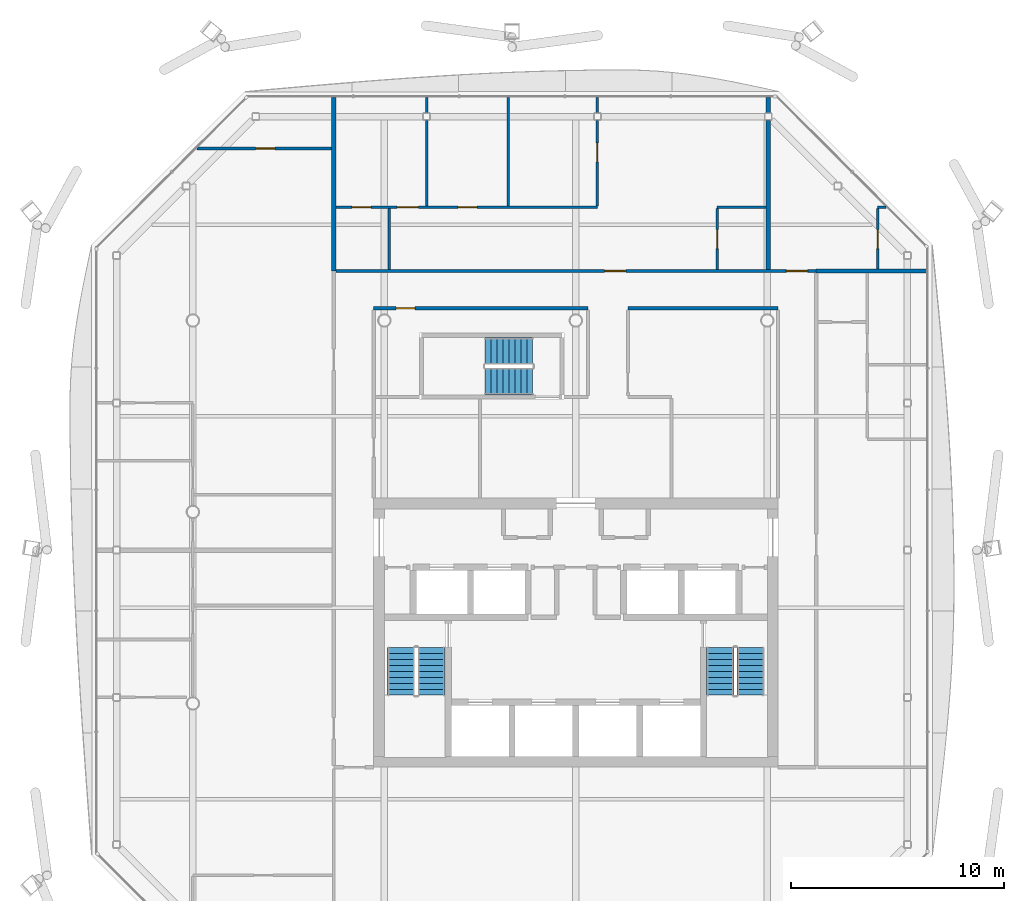
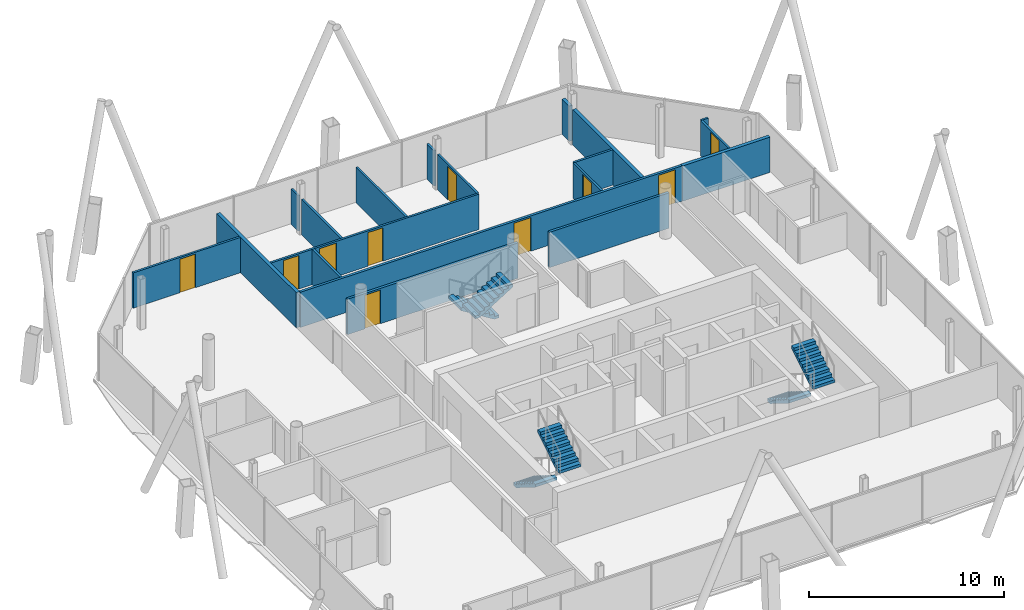
# One storey, part 16 of 20: 19 walls, 10 doors, 6 stair flights, 10 openings, 3 elements without a shape of their own.
"""IFC4 building model written with IfcOpenShell, lengths in metres."""

from ifc_helpers import new_model, si_unit, direction, frame, frame_2d, origin, place, context, subcontext, project, spatial, polyline, rectangle, outline, extrude, material, layer, layer_set, type_object, element, fill, aggregate, save


model = new_model("IFC4")

# Units and contexts
model_context = context("Model", 3, precision=1e-05, world=origin(), true_north=direction((0.0, 1.0)))
body_context = subcontext(model_context, "Body", "Model", "MODEL_VIEW")
ifc_project = project(units=[si_unit("LENGTHUNIT", "METRE"), si_unit("AREAUNIT", "SQUARE_METRE"), si_unit("VOLUMEUNIT", "CUBIC_METRE"), si_unit("PLANEANGLEUNIT", "RADIAN"), si_unit("MASSUNIT", "GRAM", prefix="KILO")], contexts=[model_context])

# Site, building, storey
site_placement = place(None, origin())
site = spatial("IfcSite", under=ifc_project, at=site_placement, CompositionType="ELEMENT")
building_placement = place(site_placement, origin())
building = spatial("IfcBuilding", under=site, at=building_placement, Name="Tskaro Facet Tower", CompositionType="ELEMENT")
storey_placement = place(building_placement, frame((0.0, 0.0, 200.550048828125)))
storey = spatial("IfcBuildingStorey", under=building, at=storey_placement, Name="L51", CompositionType="ELEMENT", Elevation=200.550048828125)

# Wall, openings, doors
ifc_material_1 = material(Name="Gypsum board on steel studs", Category="steel")
ifc_layer_1 = layer(ifc_material_1, 0.125, Name="Gypsum board on steel studs")
ifc_layer_set_1 = layer_set([ifc_layer_1], Name="Gypsum board on steel studs")
wall_type_1 = type_object("IfcWallType", Name="PART", PredefinedType="PARTITIONING", material=ifc_layer_set_1)
wall_1_placement = place(storey_placement, frame((-11.27490234375, 14.324951171875, 0.0), z_axis=(0.0, 0.0, 1.0), x_axis=(1.0, 0.0, 0.0)))
wall_1 = element("IfcWall", 1, at=wall_1_placement, inside=storey, type_object=wall_type_1, Name="Partition W039", PredefinedType="PARTITIONING", context=body_context, shape_type="SweptSolid", body=[
    extrude(rectangle(XDim=12.289794921875, YDim=0.125, at=frame_2d((6.14501953125, 0.0))), origin(), (0.0, 0.0, 1.0), 2.2099609375),
])
opening_1_placement = place(wall_1_placement, frame((5.72998046875, 0.0, 0.0)))
opening_1 = element("IfcOpeningElement", 2, at=opening_1_placement, cuts=wall_1, Name="Opening T15-D33", PredefinedType="OPENING", context=body_context, shape_type="SweptSolid", body=[
    extrude(rectangle(XDim=0.89990234375, YDim=2.10009765625, at=frame_2d((0.449951171875, 1.050048828125))), frame((0.0, 0.072509765625, 0.0), z_axis=(0.0, -1.0, 0.0), x_axis=(1.0, 0.0, 0.0)), (0.0, 0.0, 1.0), 0.14501953125),
])
opening_2_placement = place(wall_1_placement, frame((2.8798828125, 0.0, 0.0)))
opening_2 = element("IfcOpeningElement", 3, at=opening_2_placement, cuts=wall_1, Name="Opening T15-D32", PredefinedType="OPENING", context=body_context, shape_type="SweptSolid", body=[
    extrude(rectangle(XDim=1.0, YDim=2.10009765625, at=frame_2d((0.5, 1.050048828125))), frame((0.0, 0.072509765625, 0.0), z_axis=(0.0, -1.0, 0.0), x_axis=(1.0, 0.0, 0.0)), (0.0, 0.0, 1.0), 0.14501953125),
])
opening_3_placement = place(wall_1_placement, frame((0.75, 0.0, 0.0)))
opening_3 = element("IfcOpeningElement", 4, at=opening_3_placement, cuts=wall_1, Name="Opening T15-D31", PredefinedType="OPENING", context=body_context, shape_type="SweptSolid", body=[
    extrude(rectangle(XDim=0.89990234375, YDim=2.10009765625, at=frame_2d((0.449951171875, 1.050048828125))), frame((0.0, 0.072509765625, 0.0), z_axis=(0.0, -1.0, 0.0), x_axis=(1.0, 0.0, 0.0)), (0.0, 0.0, 1.0), 0.14501953125),
])
ifc_material_2 = material(Name="Timber", Category="wood")
door_type_1 = type_object("IfcDoorType", Name="D-ROOM", OperationType="NOTDEFINED", PredefinedType="DOOR", material=ifc_material_2)
door_1_placement = place(opening_1_placement, origin())
door_1 = element("IfcDoor", 5, at=door_1_placement, inside=storey, type_object=door_type_1, Name="Door T15-D33", OperationType="SINGLE_SWING_LEFT", OverallHeight=2.10009765625, OverallWidth=0.89990234375, PredefinedType="DOOR", context=body_context, shape_type="SweptSolid", body=[
    extrude(rectangle(XDim=0.89990234375, YDim=2.10009765625, at=frame_2d((0.449951171875, 1.050048828125))), frame((0.0, 0.02490234375, 0.0), z_axis=(0.0, -1.0, 0.0), x_axis=(1.0, 0.0, 0.0)), (0.0, 0.0, 1.0), 0.050048828125),
])
fill(opening_1, door_1)
door_2_placement = place(opening_3_placement, origin())
door_2 = element("IfcDoor", 6, at=door_2_placement, inside=storey, type_object=door_type_1, Name="Door T15-D31", OperationType="SINGLE_SWING_RIGHT", OverallHeight=2.10009765625, OverallWidth=0.89990234375, PredefinedType="DOOR", context=body_context, shape_type="SweptSolid", body=[
    extrude(rectangle(XDim=0.89990234375, YDim=2.10009765625, at=frame_2d((0.449951171875, 1.050048828125))), frame((0.0, 0.02490234375, 0.0), z_axis=(0.0, -1.0, 0.0), x_axis=(1.0, 0.0, 0.0)), (0.0, 0.0, 1.0), 0.050048828125),
])
fill(opening_3, door_2)
door_type_2 = type_object("IfcDoorType", Name="D-ROOM-WIDE", OperationType="NOTDEFINED", PredefinedType="DOOR", material=ifc_material_2)
door_3_placement = place(opening_2_placement, origin())
door_3 = element("IfcDoor", 7, at=door_3_placement, inside=storey, type_object=door_type_2, Name="Door T15-D32", OperationType="SINGLE_SWING_RIGHT", OverallHeight=2.10009765625, OverallWidth=1.0, PredefinedType="DOOR", context=body_context, shape_type="SweptSolid", body=[
    extrude(rectangle(XDim=1.0, YDim=2.10009765625, at=frame_2d((0.5, 1.050048828125))), frame((0.0, 0.02490234375, 0.0), z_axis=(0.0, -1.0, 0.0), x_axis=(1.0, 0.0, 0.0)), (0.0, 0.0, 1.0), 0.050048828125),
])
fill(opening_2, door_3)

# Walls
wall_2_placement = place(storey_placement, frame((6.64501953125, 14.324951171875, 0.0), z_axis=(0.0, 0.0, 1.0), x_axis=(1.0, 0.0, 0.0)))
element("IfcWall", 8, at=wall_2_placement, inside=storey, type_object=wall_type_1, Name="Partition W040", PredefinedType="PARTITIONING", context=body_context, shape_type="SweptSolid", body=[
    extrude(rectangle(XDim=2.300048828125, YDim=0.125, at=frame_2d((1.14990234375, 0.0))), origin(), (0.0, 0.0, 1.0), 2.2099609375),
])
wall_3_placement = place(storey_placement, frame((14.18505859375, 14.324951171875, 0.0), z_axis=(0.0, 0.0, 1.0), x_axis=(1.0, 0.0, 0.0)))
element("IfcWall", 9, at=wall_3_placement, inside=storey, type_object=wall_type_1, Name="Partition W041", PredefinedType="PARTITIONING", context=body_context, shape_type="SweptSolid", body=[
    extrude(rectangle(XDim=0.391845703125, YDim=0.125, at=frame_2d((0.19580078125, 0.0))), origin(), (0.0, 0.0, 1.0), 2.2099609375),
])

# Wall, opening, door
wall_4_placement = place(storey_placement, frame((-17.81689453125, 17.0849609375, 0.0), z_axis=(0.0, 0.0, 1.0), x_axis=(1.0, 0.0, 0.0)))
wall_4 = element("IfcWall", 10, at=wall_4_placement, inside=storey, type_object=wall_type_1, Name="Partition W042", PredefinedType="PARTITIONING", context=body_context, shape_type="SweptSolid", body=[
    extrude(rectangle(XDim=6.341796875, YDim=0.125, at=frame_2d((3.1708984375, 0.0))), origin(), (0.0, 0.0, 1.0), 2.2099609375),
])
opening_4_placement = place(wall_4_placement, frame((2.77099609375, 0.0, 0.0)))
opening_4 = element("IfcOpeningElement", 11, at=opening_4_placement, cuts=wall_4, Name="Opening T15-D35", PredefinedType="OPENING", context=body_context, shape_type="SweptSolid", body=[
    extrude(rectangle(XDim=0.89990234375, YDim=2.10009765625, at=frame_2d((0.449951171875, 1.050048828125))), frame((0.0, 0.072509765625, 0.0), z_axis=(0.0, -1.0, 0.0), x_axis=(1.0, 0.0, 0.0)), (0.0, 0.0, 1.0), 0.14501953125),
])
door_4_placement = place(opening_4_placement, origin())
door_4 = element("IfcDoor", 12, at=door_4_placement, inside=storey, type_object=door_type_1, Name="Door T15-D35", OperationType="SINGLE_SWING_LEFT", OverallHeight=2.10009765625, OverallWidth=0.89990234375, PredefinedType="DOOR", context=body_context, shape_type="SweptSolid", body=[
    extrude(rectangle(XDim=0.89990234375, YDim=2.10009765625, at=frame_2d((0.449951171875, 1.050048828125))), frame((0.0, 0.02490234375, 0.0), z_axis=(0.0, -1.0, 0.0), x_axis=(1.0, 0.0, 0.0)), (0.0, 0.0, 1.0), 0.050048828125),
])
fill(opening_4, door_4)

# Walls
wall_5_placement = place(storey_placement, frame((-8.77490234375, 11.39990234375, 0.0), z_axis=(0.0, 0.0, 1.0), x_axis=(0.0, 1.0, 0.0)))
element("IfcWall", 13, at=wall_5_placement, inside=storey, type_object=wall_type_1, Name="Partition W050", PredefinedType="PARTITIONING", context=body_context, shape_type="SweptSolid", body=[
    extrude(rectangle(XDim=2.862548828125, YDim=0.125, at=frame_2d((1.43115234375, 0.0))), origin(), (0.0, 0.0, 1.0), 2.2099609375),
])
wall_6_placement = place(storey_placement, frame((-7.014892578125, 14.387451171875, 0.0), z_axis=(0.0, 0.0, 1.0), x_axis=(0.0, 1.0, 0.0)))
element("IfcWall", 14, at=wall_6_placement, inside=storey, type_object=wall_type_1, Name="Partition W053", PredefinedType="PARTITIONING", context=body_context, shape_type="SweptSolid", body=[
    extrude(rectangle(XDim=4.0205078125, YDim=0.125, at=frame_2d((2.01025390625, 0.0))), origin(), (0.0, 0.0, 1.0), 2.2099609375),
])
wall_7_placement = place(storey_placement, frame((-7.014892578125, 18.758056640625, 0.0), z_axis=(0.0, 0.0, 1.0), x_axis=(0.0, 1.0, 0.0)))
element("IfcWall", 15, at=wall_7_placement, inside=storey, type_object=wall_type_1, Name="Partition W054", PredefinedType="PARTITIONING", context=body_context, shape_type="SweptSolid", body=[
    extrude(rectangle(XDim=0.724853515625, YDim=0.125, at=frame_2d((0.3623046875, 0.0))), origin(), (0.0, 0.0, 1.0), 2.2099609375),
])
wall_8_placement = place(storey_placement, frame((-3.175048828125, 14.387451171875, 0.0), z_axis=(0.0, 0.0, 1.0), x_axis=(0.0, 1.0, 0.0)))
element("IfcWall", 16, at=wall_8_placement, inside=storey, type_object=wall_type_1, Name="Partition W059", PredefinedType="PARTITIONING", context=body_context, shape_type="SweptSolid", body=[
    extrude(rectangle(XDim=5.095458984375, YDim=0.125, at=frame_2d((2.5478515625, 0.0))), origin(), (0.0, 0.0, 1.0), 2.2099609375),
])

# Wall, opening, door
wall_9_placement = place(storey_placement, frame((1.014892578125, 14.387451171875, 0.0), z_axis=(0.0, 0.0, 1.0), x_axis=(0.0, 1.0, 0.0)))
wall_9 = element("IfcWall", 17, at=wall_9_placement, inside=storey, type_object=wall_type_1, Name="Partition W068", PredefinedType="PARTITIONING", context=body_context, shape_type="SweptSolid", body=[
    extrude(rectangle(XDim=4.0205078125, YDim=0.125, at=frame_2d((2.01025390625, 0.0))), origin(), (0.0, 0.0, 1.0), 2.2099609375),
])
opening_5_placement = place(wall_9_placement, frame((2.06640625, 0.0, 0.0)))
opening_5 = element("IfcOpeningElement", 18, at=opening_5_placement, cuts=wall_9, Name="Opening T15-D34", PredefinedType="OPENING", context=body_context, shape_type="SweptSolid", body=[
    extrude(rectangle(XDim=0.89990234375, YDim=2.10009765625, at=frame_2d((0.449951171875, 1.050048828125))), frame((0.0, 0.072509765625, 0.0), z_axis=(0.0, -1.0, 0.0), x_axis=(1.0, 0.0, 0.0)), (0.0, 0.0, 1.0), 0.14501953125),
])
door_5_placement = place(opening_5_placement, origin())
door_5 = element("IfcDoor", 19, at=door_5_placement, inside=storey, type_object=door_type_1, Name="Door T15-D34", OperationType="SINGLE_SWING_LEFT", OverallHeight=2.10009765625, OverallWidth=0.89990234375, PredefinedType="DOOR", context=body_context, shape_type="SweptSolid", body=[
    extrude(rectangle(XDim=0.89990234375, YDim=2.10009765625, at=frame_2d((0.449951171875, 1.050048828125))), frame((0.0, 0.02490234375, 0.0), z_axis=(0.0, -1.0, 0.0), x_axis=(1.0, 0.0, 0.0)), (0.0, 0.0, 1.0), 0.050048828125),
])
fill(opening_5, door_5)

# Wall
wall_10_placement = place(storey_placement, frame((1.014892578125, 18.758056640625, 0.0), z_axis=(0.0, 0.0, 1.0), x_axis=(0.0, 1.0, 0.0)))
element("IfcWall", 20, at=wall_10_placement, inside=storey, type_object=wall_type_1, Name="Partition W069", PredefinedType="PARTITIONING", context=body_context, shape_type="SweptSolid", body=[
    extrude(rectangle(XDim=0.724853515625, YDim=0.125, at=frame_2d((0.3623046875, 0.0))), origin(), (0.0, 0.0, 1.0), 2.2099609375),
])

# Wall, opening, door
wall_11_placement = place(storey_placement, frame((6.64501953125, 14.262451171875, 0.0), z_axis=(0.0, 0.0, 1.0), x_axis=(0.0, -1.0, 0.0)))
wall_11 = element("IfcWall", 21, at=wall_11_placement, inside=storey, type_object=wall_type_1, Name="Partition W078", PredefinedType="PARTITIONING", context=body_context, shape_type="SweptSolid", body=[
    extrude(rectangle(XDim=2.862548828125, YDim=0.125, at=frame_2d((1.43115234375, 0.0))), origin(), (0.0, 0.0, 1.0), 2.2099609375),
])
opening_6_placement = place(wall_11_placement, frame((0.987548828125, 0.0, 0.0)))
opening_6 = element("IfcOpeningElement", 22, at=opening_6_placement, cuts=wall_11, Name="Opening T15-D29", PredefinedType="OPENING", context=body_context, shape_type="SweptSolid", body=[
    extrude(rectangle(XDim=0.89990234375, YDim=2.10009765625, at=frame_2d((0.449951171875, 1.050048828125))), frame((0.0, 0.072509765625, 0.0), z_axis=(0.0, -1.0, 0.0), x_axis=(1.0, 0.0, 0.0)), (0.0, 0.0, 1.0), 0.14501953125),
])
door_6_placement = place(opening_6_placement, origin())
door_6 = element("IfcDoor", 23, at=door_6_placement, inside=storey, type_object=door_type_1, Name="Door T15-D29", OperationType="SINGLE_SWING_RIGHT", OverallHeight=2.10009765625, OverallWidth=0.89990234375, PredefinedType="DOOR", context=body_context, shape_type="SweptSolid", body=[
    extrude(rectangle(XDim=0.89990234375, YDim=2.10009765625, at=frame_2d((0.449951171875, 1.050048828125))), frame((0.0, 0.02490234375, 0.0), z_axis=(0.0, -1.0, 0.0), x_axis=(1.0, 0.0, 0.0)), (0.0, 0.0, 1.0), 0.050048828125),
])
fill(opening_6, door_6)

wall_12_placement = place(storey_placement, frame((14.18505859375, 14.262451171875, 0.0), z_axis=(0.0, 0.0, 1.0), x_axis=(0.0, -1.0, 0.0)))
wall_12 = element("IfcWall", 24, at=wall_12_placement, inside=storey, type_object=wall_type_1, Name="Partition W085", PredefinedType="PARTITIONING", context=body_context, shape_type="SweptSolid", body=[
    extrude(rectangle(XDim=2.83740234375, YDim=0.125, at=frame_2d((1.418701171875, 0.0))), origin(), (0.0, 0.0, 1.0), 2.2099609375),
])
opening_7_placement = place(wall_12_placement, frame((0.987548828125, 0.0, 0.0)))
opening_7 = element("IfcOpeningElement", 25, at=opening_7_placement, cuts=wall_12, Name="Opening T15-D30", PredefinedType="OPENING", context=body_context, shape_type="SweptSolid", body=[
    extrude(rectangle(XDim=0.89990234375, YDim=2.10009765625, at=frame_2d((0.449951171875, 1.050048828125))), frame((0.0, 0.072509765625, 0.0), z_axis=(0.0, -1.0, 0.0), x_axis=(1.0, 0.0, 0.0)), (0.0, 0.0, 1.0), 0.14501953125),
])
door_7_placement = place(opening_7_placement, origin())
door_7 = element("IfcDoor", 26, at=door_7_placement, inside=storey, type_object=door_type_1, Name="Door T15-D30", OperationType="SINGLE_SWING_RIGHT", OverallHeight=2.10009765625, OverallWidth=0.89990234375, PredefinedType="DOOR", context=body_context, shape_type="SweptSolid", body=[
    extrude(rectangle(XDim=0.89990234375, YDim=2.10009765625, at=frame_2d((0.449951171875, 1.050048828125))), frame((0.0, 0.02490234375, 0.0), z_axis=(0.0, -1.0, 0.0), x_axis=(1.0, 0.0, 0.0)), (0.0, 0.0, 1.0), 0.050048828125),
])
fill(opening_7, door_7)

ifc_layer_2 = layer(ifc_material_1, 0.14990234375, Name="Gypsum board on steel studs")
ifc_layer_set_2 = layer_set([ifc_layer_2], Name="Gypsum board on steel studs")
wall_type_2 = type_object("IfcWallType", Name="PART-CORR", PredefinedType="PARTITIONING", material=ifc_layer_set_2)
wall_13_placement = place(storey_placement, frame((0.574951171875, 9.574951171875, 0.0), z_axis=(0.0, 0.0, 1.0), x_axis=(-1.0, 0.0, 0.0)))
wall_13 = element("IfcWall", 27, at=wall_13_placement, inside=storey, type_object=wall_type_2, Name="Corridor wall W035", PredefinedType="PARTITIONING", context=body_context, shape_type="SweptSolid", body=[
    extrude(rectangle(XDim=10.074951171875, YDim=0.14990234375, at=frame_2d((5.03759765625, 0.0))), origin(), (0.0, 0.0, 1.0), 2.2099609375),
])
opening_8_placement = place(wall_13_placement, frame((8.125, 0.0, 0.0)))
opening_8 = element("IfcOpeningElement", 28, at=opening_8_placement, cuts=wall_13, Name="Opening T15-D26", PredefinedType="OPENING", context=body_context, shape_type="SweptSolid", body=[
    extrude(rectangle(XDim=0.89990234375, YDim=2.10009765625, at=frame_2d((0.449951171875, 1.050048828125))), frame((0.0, 0.0849609375, 0.0), z_axis=(0.0, -1.0, 0.0), x_axis=(1.0, 0.0, 0.0)), (0.0, 0.0, 1.0), 0.169921875),
])
door_8_placement = place(opening_8_placement, origin())
door_8 = element("IfcDoor", 29, at=door_8_placement, inside=storey, type_object=door_type_1, Name="Door T15-D26", OperationType="SINGLE_SWING_RIGHT", OverallHeight=2.10009765625, OverallWidth=0.89990234375, PredefinedType="DOOR", context=body_context, shape_type="SweptSolid", body=[
    extrude(rectangle(XDim=0.89990234375, YDim=2.10009765625, at=frame_2d((0.449951171875, 1.050048828125))), frame((0.0, 0.02490234375, 0.0), z_axis=(0.0, -1.0, 0.0), x_axis=(1.0, 0.0, 0.0)), (0.0, 0.0, 1.0), 0.050048828125),
])
fill(opening_8, door_8)

# Wall
wall_14_placement = place(storey_placement, frame((2.449951171875, 9.574951171875, 0.0), z_axis=(0.0, 0.0, 1.0), x_axis=(1.0, 0.0, 0.0)))
element("IfcWall", 30, at=wall_14_placement, inside=storey, type_object=wall_type_2, Name="Corridor wall W036", PredefinedType="PARTITIONING", context=body_context, shape_type="SweptSolid", body=[
    extrude(rectangle(XDim=7.050048828125, YDim=0.14990234375, at=frame_2d((3.52490234375, 0.0))), origin(), (0.0, 0.0, 1.0), 2.2099609375),
])

# Wall, openings, doors
wall_15_placement = place(storey_placement, frame((-11.27490234375, 11.324951171875, 0.0), z_axis=(0.0, 0.0, 1.0), x_axis=(1.0, 0.0, 0.0)))
wall_15 = element("IfcWall", 31, at=wall_15_placement, inside=storey, type_object=wall_type_2, Name="Corridor wall W037", PredefinedType="PARTITIONING", context=body_context, shape_type="SweptSolid", body=[
    extrude(rectangle(XDim=22.574951171875, YDim=0.14990234375, at=frame_2d((11.28759765625, 0.0))), origin(), (0.0, 0.0, 1.0), 2.2099609375),
])
opening_9_placement = place(wall_15_placement, frame((12.6298828125, 0.0, 0.0)))
opening_9 = element("IfcOpeningElement", 32, at=opening_9_placement, cuts=wall_15, Name="Opening T15-D27", PredefinedType="OPENING", context=body_context, shape_type="SweptSolid", body=[
    extrude(rectangle(XDim=1.0, YDim=2.10009765625, at=frame_2d((0.5, 1.050048828125))), frame((0.0, 0.0849609375, 0.0), z_axis=(0.0, -1.0, 0.0), x_axis=(1.0, 0.0, 0.0)), (0.0, 0.0, 1.0), 0.169921875),
])
opening_10_placement = place(wall_15_placement, frame((21.175048828125, 0.0, 0.0)))
opening_10 = element("IfcOpeningElement", 33, at=opening_10_placement, cuts=wall_15, Name="Opening T15-D28", PredefinedType="OPENING", context=body_context, shape_type="SweptSolid", body=[
    extrude(rectangle(XDim=1.0, YDim=2.10009765625, at=frame_2d((0.5, 1.050048828125))), frame((0.0, 0.0849609375, 0.0), z_axis=(0.0, -1.0, 0.0), x_axis=(1.0, 0.0, 0.0)), (0.0, 0.0, 1.0), 0.169921875),
])
door_type_3 = type_object("IfcDoorType", Name="D-FLAT-ENTRY", OperationType="NOTDEFINED", PredefinedType="DOOR", material=ifc_material_2)
door_9_placement = place(opening_9_placement, origin())
door_9 = element("IfcDoor", 34, at=door_9_placement, inside=storey, type_object=door_type_3, Name="Door T15-D27", OperationType="SINGLE_SWING_LEFT", OverallHeight=2.10009765625, OverallWidth=1.0, PredefinedType="DOOR", context=body_context, shape_type="SweptSolid", body=[
    extrude(rectangle(XDim=1.0, YDim=2.10009765625, at=frame_2d((0.5, 1.050048828125))), frame((0.0, 0.02490234375, 0.0), z_axis=(0.0, -1.0, 0.0), x_axis=(1.0, 0.0, 0.0)), (0.0, 0.0, 1.0), 0.050048828125),
])
fill(opening_9, door_9)
door_10_placement = place(opening_10_placement, origin())
door_10 = element("IfcDoor", 35, at=door_10_placement, inside=storey, type_object=door_type_3, Name="Door T15-D28", OperationType="SINGLE_SWING_LEFT", OverallHeight=2.10009765625, OverallWidth=1.0, PredefinedType="DOOR", context=body_context, shape_type="SweptSolid", body=[
    extrude(rectangle(XDim=1.0, YDim=2.10009765625, at=frame_2d((0.5, 1.050048828125))), frame((0.0, 0.02490234375, 0.0), z_axis=(0.0, -1.0, 0.0), x_axis=(1.0, 0.0, 0.0)), (0.0, 0.0, 1.0), 0.050048828125),
])
fill(opening_10, door_10)

# Walls
ifc_layer_3 = layer(ifc_material_1, 0.199951171875, Name="Gypsum board on steel studs")
ifc_layer_set_3 = layer_set([ifc_layer_3], Name="Gypsum board on steel studs")
wall_type_3 = type_object("IfcWallType", Name="PART-DEMISING", PredefinedType="PARTITIONING", material=ifc_layer_set_3)
wall_16_placement = place(storey_placement, frame((11.300048828125, 11.324951171875, 0.0), z_axis=(0.0, 0.0, 1.0), x_axis=(1.0, 0.0, 0.0)))
element("IfcWall", 36, at=wall_16_placement, inside=storey, type_object=wall_type_3, Name="Guest room wall W038", PredefinedType="PARTITIONING", context=body_context, shape_type="SweptSolid", body=[
    extrude(rectangle(XDim=5.182861328125, YDim=0.199951171875, at=frame_2d((2.59130859375, 0.0))), origin(), (0.0, 0.0, 1.0), 2.2099609375),
])
wall_17_placement = place(storey_placement, frame((-11.375, 11.324951171875, 0.0), z_axis=(0.0, 0.0, 1.0), x_axis=(0.0, 1.0, 0.0)))
element("IfcWall", 37, at=wall_17_placement, inside=storey, type_object=wall_type_3, Name="Guest room wall W048", PredefinedType="PARTITIONING", context=body_context, shape_type="SweptSolid", body=[
    extrude(rectangle(XDim=8.157958984375, YDim=0.199951171875, at=frame_2d((4.0791015625, 0.0))), origin(), (0.0, 0.0, 1.0), 2.2099609375),
])
wall_18_placement = place(storey_placement, frame((9.044921875, 11.39990234375, 0.0), z_axis=(0.0, 0.0, 1.0), x_axis=(0.0, 1.0, 0.0)))
element("IfcWall", 38, at=wall_18_placement, inside=storey, type_object=wall_type_3, Name="Guest room wall W080", PredefinedType="PARTITIONING", context=body_context, shape_type="SweptSolid", body=[
    extrude(rectangle(XDim=7.008056640625, YDim=0.199951171875, at=frame_2d((3.50390625, 0.0))), origin(), (0.0, 0.0, 1.0), 2.2099609375),
])
wall_19_placement = place(storey_placement, frame((9.044921875, 18.758056640625, 0.0), z_axis=(0.0, 0.0, 1.0), x_axis=(0.0, 1.0, 0.0)))
element("IfcWall", 39, at=wall_19_placement, inside=storey, type_object=wall_type_3, Name="Guest room wall W081", PredefinedType="PARTITIONING", context=body_context, shape_type="SweptSolid", body=[
    extrude(rectangle(XDim=0.724853515625, YDim=0.199951171875, at=frame_2d((0.3623046875, 0.0))), origin(), (0.0, 0.0, 1.0), 2.2099609375),
])

# Stair, stair flights
ifc_material_3 = material(Name="Concrete C40/50", Category="concrete")
stair_type = type_object("IfcStairType", Name="ST-TWR", PredefinedType="HALF_TURN_STAIR", material=ifc_material_3)
stair_1_placement = place(storey_placement, origin())
stair_1 = element("IfcStair", 40, at=stair_1_placement, inside=storey, type_object=stair_type, Name="L51 Exit stair 1", PredefinedType="HALF_TURN_STAIR")
stair_flight_type = type_object("IfcStairFlightType", Name="SFL-RC", PredefinedType="STRAIGHT", material=ifc_material_3)
stair_flight_1_placement = place(storey_placement, frame((-8.21240234375, -6.375, 0.0), z_axis=(0.0, 0.0, 1.0), x_axis=(0.0, -1.0, 0.0)))
stair_flight_1 = element("IfcStairFlight", 41, at=stair_flight_1_placement, type_object=stair_flight_type, Name="ST-1 flight 1", NumberOfRisers=9, NumberOfTreads=8, PredefinedType="STRAIGHT", RiserHeight=0.175, TreadLength=0.28, context=body_context, shape_type="SweptSolid", body=[
    extrude(outline(polyline([(0.0, 0.0), (0.0, 0.175048828125), (0.280029296875, 0.175048828125), (0.280029296875, 0.35009765625), (0.56005859375, 0.35009765625), (0.56005859375, 0.52490234375), (0.840087890625, 0.52490234375), (0.840087890625, 0.699951171875), (1.1201171875, 0.699951171875), (1.1201171875, 0.875), (1.39990234375, 0.875), (1.39990234375, 1.050048828125), (1.679931640625, 1.050048828125), (1.679931640625, 1.22509765625), (1.9599609375, 1.22509765625), (1.9599609375, 1.39990234375), (2.239990234375, 1.39990234375), (2.239990234375, 1.574951171875), (2.239990234375, 1.22314453125), (0.28271484375, 0.0), (0.0, 0.0)])), frame((0.0, 0.637451171875, 0.0), z_axis=(0.0, -1.0, 0.0), x_axis=(1.0, 0.0, 0.0)), (0.0, 0.0, 1.0), 1.27490234375),
])
stair_flight_2_placement = place(storey_placement, frame((-6.78759765625, -8.614990234375, 1.574951171875), z_axis=(0.0, 0.0, 1.0), x_axis=(0.0, 1.0, 0.0)))
stair_flight_2 = element("IfcStairFlight", 42, at=stair_flight_2_placement, type_object=stair_flight_type, Name="ST-1 flight 2", NumberOfRisers=9, NumberOfTreads=8, PredefinedType="STRAIGHT", RiserHeight=0.175, TreadLength=0.28, context=body_context, shape_type="SweptSolid", body=[
    extrude(outline(polyline([(0.0, 0.0), (0.0, 0.175048828125), (0.280029296875, 0.175048828125), (0.280029296875, 0.35009765625), (0.56005859375, 0.35009765625), (0.56005859375, 0.52490234375), (0.840087890625, 0.52490234375), (0.840087890625, 0.699951171875), (1.1201171875, 0.699951171875), (1.1201171875, 0.875), (1.39990234375, 0.875), (1.39990234375, 1.050048828125), (1.679931640625, 1.050048828125), (1.679931640625, 1.22509765625), (1.9599609375, 1.22509765625), (1.9599609375, 1.39990234375), (2.239990234375, 1.39990234375), (2.239990234375, 1.574951171875), (2.239990234375, 1.22314453125), (0.28271484375, 0.0), (0.0, 0.0)])), frame((0.0, 0.637451171875, 0.0), z_axis=(0.0, -1.0, 0.0), x_axis=(1.0, 0.0, 0.0)), (0.0, 0.0, 1.0), 1.27490234375),
])
aggregate(stair_1, [stair_flight_1, stair_flight_2])

stair_2_placement = place(storey_placement, origin())
stair_2 = element("IfcStair", 43, at=stair_2_placement, inside=storey, type_object=stair_type, Name="L51 Exit stair 2", PredefinedType="HALF_TURN_STAIR")
stair_flight_3_placement = place(storey_placement, frame((6.78759765625, -6.375, 0.0), z_axis=(0.0, 0.0, 1.0), x_axis=(0.0, -1.0, 0.0)))
stair_flight_3 = element("IfcStairFlight", 44, at=stair_flight_3_placement, type_object=stair_flight_type, Name="ST-2 flight 1", NumberOfRisers=9, NumberOfTreads=8, PredefinedType="STRAIGHT", RiserHeight=0.175, TreadLength=0.28, context=body_context, shape_type="SweptSolid", body=[
    extrude(outline(polyline([(0.0, 0.0), (0.0, 0.175048828125), (0.280029296875, 0.175048828125), (0.280029296875, 0.35009765625), (0.56005859375, 0.35009765625), (0.56005859375, 0.52490234375), (0.840087890625, 0.52490234375), (0.840087890625, 0.699951171875), (1.1201171875, 0.699951171875), (1.1201171875, 0.875), (1.39990234375, 0.875), (1.39990234375, 1.050048828125), (1.679931640625, 1.050048828125), (1.679931640625, 1.22509765625), (1.9599609375, 1.22509765625), (1.9599609375, 1.39990234375), (2.239990234375, 1.39990234375), (2.239990234375, 1.574951171875), (2.239990234375, 1.22314453125), (0.28271484375, 0.0), (0.0, 0.0)])), frame((0.0, 0.637451171875, 0.0), z_axis=(0.0, -1.0, 0.0), x_axis=(1.0, 0.0, 0.0)), (0.0, 0.0, 1.0), 1.27490234375),
])
stair_flight_4_placement = place(storey_placement, frame((8.21240234375, -8.614990234375, 1.574951171875), z_axis=(0.0, 0.0, 1.0), x_axis=(0.0, 1.0, 0.0)))
stair_flight_4 = element("IfcStairFlight", 45, at=stair_flight_4_placement, type_object=stair_flight_type, Name="ST-2 flight 2", NumberOfRisers=9, NumberOfTreads=8, PredefinedType="STRAIGHT", RiserHeight=0.175, TreadLength=0.28, context=body_context, shape_type="SweptSolid", body=[
    extrude(outline(polyline([(0.0, 0.0), (0.0, 0.175048828125), (0.280029296875, 0.175048828125), (0.280029296875, 0.35009765625), (0.56005859375, 0.35009765625), (0.56005859375, 0.52490234375), (0.840087890625, 0.52490234375), (0.840087890625, 0.699951171875), (1.1201171875, 0.699951171875), (1.1201171875, 0.875), (1.39990234375, 0.875), (1.39990234375, 1.050048828125), (1.679931640625, 1.050048828125), (1.679931640625, 1.22509765625), (1.9599609375, 1.22509765625), (1.9599609375, 1.39990234375), (2.239990234375, 1.39990234375), (2.239990234375, 1.574951171875), (2.239990234375, 1.22314453125), (0.28271484375, 0.0), (0.0, 0.0)])), frame((0.0, 0.637451171875, 0.0), z_axis=(0.0, -1.0, 0.0), x_axis=(1.0, 0.0, 0.0)), (0.0, 0.0, 1.0), 1.27490234375),
])
aggregate(stair_2, [stair_flight_3, stair_flight_4])

stair_3_placement = place(storey_placement, origin())
stair_3 = element("IfcStair", 46, at=stair_3_placement, inside=storey, type_object=stair_type, Name="L51 Exit stair 3", PredefinedType="HALF_TURN_STAIR")
stair_flight_5_placement = place(storey_placement, frame((-2.02490234375, 7.5625, 0.0), z_axis=(0.0, 0.0, 1.0), x_axis=(-1.0, 0.0, 0.0)))
stair_flight_5 = element("IfcStairFlight", 47, at=stair_flight_5_placement, type_object=stair_flight_type, Name="ST-3 flight 1", NumberOfRisers=9, NumberOfTreads=8, PredefinedType="STRAIGHT", RiserHeight=0.175, TreadLength=0.28, context=body_context, shape_type="SweptSolid", body=[
    extrude(outline(polyline([(0.0, 0.0), (0.0, 0.175048828125), (0.280029296875, 0.175048828125), (0.280029296875, 0.35009765625), (0.56005859375, 0.35009765625), (0.56005859375, 0.52490234375), (0.840087890625, 0.52490234375), (0.840087890625, 0.699951171875), (1.1201171875, 0.699951171875), (1.1201171875, 0.875), (1.39990234375, 0.875), (1.39990234375, 1.050048828125), (1.679931640625, 1.050048828125), (1.679931640625, 1.22509765625), (1.9599609375, 1.22509765625), (1.9599609375, 1.39990234375), (2.239990234375, 1.39990234375), (2.239990234375, 1.574951171875), (2.239990234375, 1.22314453125), (0.28271484375, 0.0), (0.0, 0.0)])), frame((0.0, 0.637451171875, 0.0), z_axis=(0.0, -1.0, 0.0), x_axis=(1.0, 0.0, 0.0)), (0.0, 0.0, 1.0), 1.27490234375),
])
stair_flight_6_placement = place(storey_placement, frame((-4.264892578125, 6.137451171875, 1.574951171875), z_axis=(0.0, 0.0, 1.0), x_axis=(1.0, 0.0, 0.0)))
stair_flight_6 = element("IfcStairFlight", 48, at=stair_flight_6_placement, type_object=stair_flight_type, Name="ST-3 flight 2", NumberOfRisers=9, NumberOfTreads=8, PredefinedType="STRAIGHT", RiserHeight=0.175, TreadLength=0.28, context=body_context, shape_type="SweptSolid", body=[
    extrude(outline(polyline([(0.0, 0.0), (0.0, 0.175048828125), (0.280029296875, 0.175048828125), (0.280029296875, 0.35009765625), (0.56005859375, 0.35009765625), (0.56005859375, 0.52490234375), (0.840087890625, 0.52490234375), (0.840087890625, 0.699951171875), (1.1201171875, 0.699951171875), (1.1201171875, 0.875), (1.39990234375, 0.875), (1.39990234375, 1.050048828125), (1.679931640625, 1.050048828125), (1.679931640625, 1.22509765625), (1.9599609375, 1.22509765625), (1.9599609375, 1.39990234375), (2.239990234375, 1.39990234375), (2.239990234375, 1.574951171875), (2.239990234375, 1.22314453125), (0.28271484375, 0.0), (0.0, 0.0)])), frame((0.0, 0.637451171875, 0.0), z_axis=(0.0, -1.0, 0.0), x_axis=(1.0, 0.0, 0.0)), (0.0, 0.0, 1.0), 1.27490234375),
])
aggregate(stair_3, [stair_flight_5, stair_flight_6])

save(model, "model.ifc")
